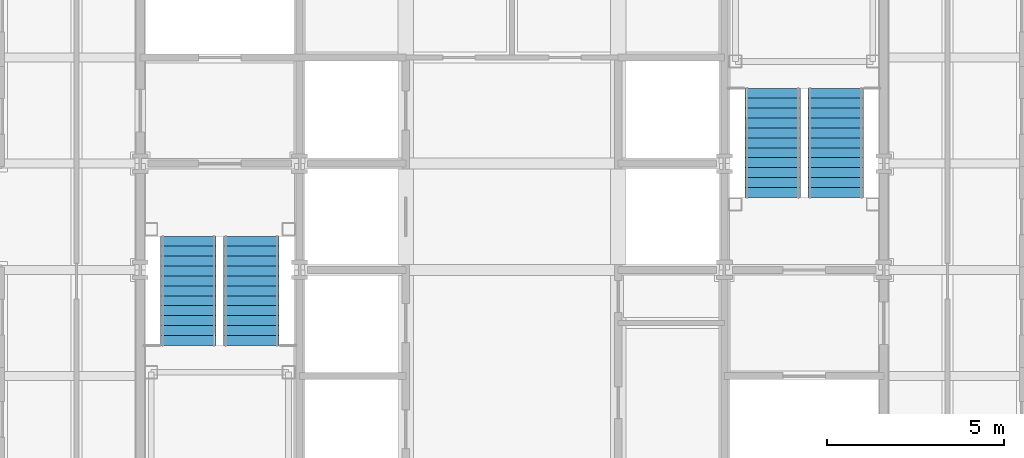
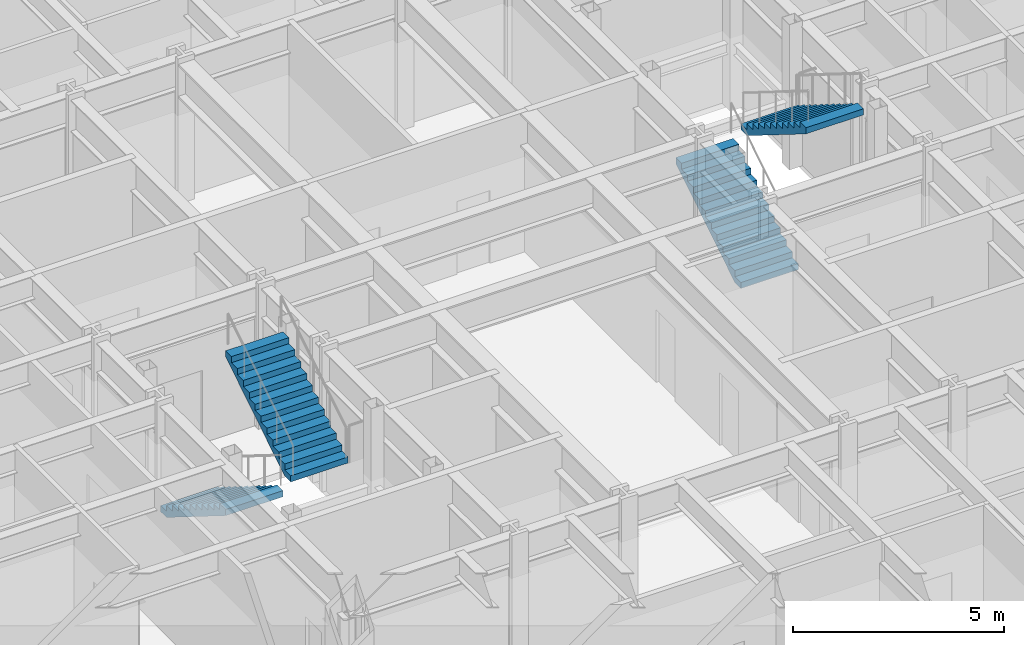
# One storey, part 13 of 15: 4 stair flights, 2 elements without a shape of their own.
"""IFC4 building model written with IfcOpenShell, lengths in metres."""

import ifcopenshell
import ifcopenshell.guid

model = None  # the IFC model being written
_history = None  # IfcOwnerHistory: only IFC2X3 demands one
_inside = {}  # id of a spatial element -> (the spatial element, [elements in it])
_under = {}  # id of a project, library or spatial element -> (it, [spatial elements below it])
_declared = {}  # id of a project -> (the project, [libraries it declares])
_typed = {}  # id of a type object -> (the type object, [elements of that type])
_made_of = {}  # id of a material, layer set ... -> (it, [elements and type objects made of it])


def new_model(schema):
    """Start an empty IFC model of exactly this schema.

    Asked for "IFC4X3", IfcOpenShell would pick the latest addendum, in which some entities
    have other attributes; the version numbers below select the first issue.
    IFC2X3 requires an IfcOwnerHistory on every rooted entity: one is made here for all.
    """
    global model, _history
    if schema == "IFC4X3":
        model = ifcopenshell.file(schema_version=(4, 3, 0, 0))
    else:
        model = ifcopenshell.file(schema=schema)
    _inside.clear()
    _under.clear()
    _declared.clear()
    _typed.clear()
    _made_of.clear()
    _history = None
    if model.schema == "IFC2X3":
        org = make("IfcOrganization", Name="unknown")
        user = make(
            "IfcPersonAndOrganization",
            ThePerson=make("IfcPerson", FamilyName="unknown"),
            TheOrganization=org,
        )
        app = make(
            "IfcApplication",
            ApplicationDeveloper=org,
            Version="unknown",
            ApplicationFullName="unknown",
            ApplicationIdentifier="unknown",
        )
        _history = make(
            "IfcOwnerHistory",
            OwningUser=user,
            OwningApplication=app,
            ChangeAction="ADDED",
            CreationDate=0,
        )
    return model


def make(cls, **values):
    """One entity of the class cls with the attributes given. An attribute that is None is left unset."""
    return model.create_entity(
        cls, **{name: value for name, value in values.items() if value is not None}
    )


def rooted(cls, **values):
    """An entity with a GlobalId (a new one), such as an element, a storey or a relation."""
    return make(cls, GlobalId=ifcopenshell.guid.new(), OwnerHistory=_history, **values)


def si_unit(unit_type, name, prefix=None):
    """IfcSIUnit, for example si_unit("LENGTHUNIT", "METRE", prefix="MILLI")."""
    return make("IfcSIUnit", UnitType=unit_type, Prefix=prefix, Name=name)


def assignment(units):
    """IfcUnitAssignment: the units of a project."""
    return None if units is None else make("IfcUnitAssignment", Units=units)


def point(xyz):
    """IfcCartesianPoint."""
    return None if xyz is None else make("IfcCartesianPoint", Coordinates=xyz)


def direction(xyz):
    """IfcDirection."""
    return None if xyz is None else make("IfcDirection", DirectionRatios=xyz)


def frame(location, z_axis=None, x_axis=None):
    """IfcAxis2Placement3D, a coordinate frame: its origin and axes. An axis left out is left unset."""
    return make(
        "IfcAxis2Placement3D",
        Location=point(location),
        Axis=direction(z_axis),
        RefDirection=direction(x_axis),
    )


def origin():
    """The frame at (0, 0, 0) with its axes left unset."""
    return frame((0.0, 0.0, 0.0))


def place(relative_to, where):
    """IfcLocalPlacement: puts the frame where relative to a parent placement (None: the world)."""
    return make(
        "IfcLocalPlacement", PlacementRelTo=relative_to, RelativePlacement=where
    )


def context(
    kind, dimensions, precision=None, world=None, true_north=None, identifier=None
):
    """IfcGeometricRepresentationContext, for example the 3D "Model" context."""
    return make(
        "IfcGeometricRepresentationContext",
        ContextIdentifier=identifier,
        ContextType=kind,
        CoordinateSpaceDimension=dimensions,
        Precision=precision,
        WorldCoordinateSystem=world,
        TrueNorth=true_north,
    )


def subcontext(parent, identifier, kind, view, scale=None):
    """IfcGeometricRepresentationSubContext, for example "Body" below "Model"."""
    return make(
        "IfcGeometricRepresentationSubContext",
        ContextIdentifier=identifier,
        ContextType=kind,
        ParentContext=parent,
        TargetScale=scale,
        TargetView=view,
    )


def project(units=None, contexts=None):
    """IfcProject with its units and contexts."""
    return rooted(
        "IfcProject",
        Name="project",
        RepresentationContexts=contexts,
        UnitsInContext=assignment(units),
    )


def spatial(cls, under=None, at=None, **own):
    """A site, building, storey or space (cls), placed at a placement, below another one or the project."""
    s = rooted(cls, ObjectPlacement=at, **own)
    if under is not None:
        _under.setdefault(under.id(), (under, []))[1].append(s)
    return s


def faces_of(points, faces, orient=None, outer=None):
    """IfcFace entities. A face is a list of loops; a loop is a list of indices into points, from 0.

    orient and outer hold one flag for each loop. By default every Orientation is true, the
    first loop of a face is its IfcFaceOuterBound and the others are IfcFaceBound.
    """
    made = []
    for i, loops in enumerate(faces):
        bounds = []
        for j, loop in enumerate(loops):
            is_outer = j == 0 if outer is None else outer[i][j]
            bounds.append(
                make(
                    "IfcFaceOuterBound" if is_outer else "IfcFaceBound",
                    Bound=make("IfcPolyLoop", Polygon=[points[k] for k in loop]),
                    Orientation=True if orient is None else orient[i][j],
                )
            )
        made.append(make("IfcFace", Bounds=bounds))
    return made


def faceted_brep(points, faces, orient=None, outer=None, voids=None):
    """IfcFacetedBrep: a solid bounded by flat faces; with voids (closed shells), ...WithVoids."""
    shared = [point(p) for p in points]
    hull = make("IfcClosedShell", CfsFaces=faces_of(shared, faces, orient, outer))
    if voids is None:
        return make("IfcFacetedBrep", Outer=hull)
    return make(
        "IfcFacetedBrepWithVoids",
        Outer=hull,
        Voids=[
            make(cls, CfsFaces=faces_of(shared, fs, o, b)) for cls, fs, o, b in voids
        ],
    )


def shape(context_of_items, identifier, shape_type, items):
    """IfcShapeRepresentation: the items that make up one representation, for example the "Body"."""
    return make(
        "IfcShapeRepresentation",
        ContextOfItems=context_of_items,
        RepresentationIdentifier=identifier,
        RepresentationType=shape_type,
        Items=items,
    )


def material(Name=None, Category=None):
    """IfcMaterial."""
    return make("IfcMaterial", Name=Name, Category=Category)


def made_of(thing, what):
    """Note that an element or type object is made of a material, layer set ...; save() writes the relation."""
    if what is not None:
        _made_of.setdefault(what.id(), (what, []))[1].append(thing)
    return thing


def type_object(cls, material=None, **own):
    """A type object (cls), such as IfcWallType, which elements share."""
    return made_of(rooted(cls, **own), material)


def element(
    cls,
    number,
    at=None,
    inside=None,
    cuts=None,
    type_object=None,
    material=None,
    context=None,
    identifier="Body",
    shape_type=None,
    held_by="IfcProductDefinitionShape",
    body=None,
    shapes=None,
    **own,
):
    """One element of the class cls, such as IfcWall. Its Tag is "e" and its number.

    at: its placement. inside: the storey or other place that contains it. cuts: it is an
    opening in that element (IfcRelVoidsElement). A single representation is given by context,
    identifier, shape_type and body (its items); several are given by shapes. held_by: the class
    of the entity that holds the representations. save() writes the other relations.
    """
    e = rooted(cls, Tag="e%d" % number, ObjectPlacement=at, **own)
    if body is not None:
        shapes = [shape(context, identifier, shape_type, body)]
    if shapes is not None:
        e.Representation = make(held_by, Representations=shapes)
    if inside is not None:
        _inside.setdefault(inside.id(), (inside, []))[1].append(e)
    if cuts is not None:
        rooted(
            "IfcRelVoidsElement", RelatingBuildingElement=cuts, RelatedOpeningElement=e
        )
    if type_object is not None:
        _typed.setdefault(type_object.id(), (type_object, []))[1].append(e)
    return made_of(e, material)


def aggregate(whole, parts):
    """IfcRelAggregates: a whole, such as a stair, and the parts it consists of."""
    return rooted("IfcRelAggregates", RelatingObject=whole, RelatedObjects=parts)


def save(model, path):
    """Write the relations noted so far, then the file.

    IfcRelAggregates (storeys below a building ...), IfcRelContainedInSpatialStructure (elements
    in a storey), IfcRelDefinesByType, IfcRelAssociatesMaterial and IfcRelDeclares: one each for
    every whole, place, type object, material and project.
    """
    for whole, parts in _under.values():
        aggregate(whole, parts)
    for where, things in _inside.values():
        rooted(
            "IfcRelContainedInSpatialStructure",
            RelatedElements=things,
            RelatingStructure=where,
        )
    for kind, things in _typed.values():
        rooted("IfcRelDefinesByType", RelatedObjects=things, RelatingType=kind)
    for what, things in _made_of.values():
        rooted("IfcRelAssociatesMaterial", RelatedObjects=things, RelatingMaterial=what)
    for by, libraries in _declared.values():
        rooted("IfcRelDeclares", RelatingContext=by, RelatedDefinitions=libraries)
    model.write(path)


model = new_model("IFC4")

# Units and contexts
model_context = context("Model", 3, precision=1e-05, world=origin(), true_north=direction((0.0, 1.0)))
body_context = subcontext(model_context, "Body", "Model", "MODEL_VIEW")
ifc_project = project(units=[si_unit("LENGTHUNIT", "METRE"), si_unit("AREAUNIT", "SQUARE_METRE"), si_unit("VOLUMEUNIT", "CUBIC_METRE"), si_unit("PLANEANGLEUNIT", "RADIAN"), si_unit("MASSUNIT", "GRAM", prefix="KILO")], contexts=[model_context])

# Site, building, storey
site_placement = place(None, origin())
site = spatial("IfcSite", under=ifc_project, at=site_placement, CompositionType="ELEMENT")
building_placement = place(site_placement, origin())
building = spatial("IfcBuilding", under=site, at=building_placement, Name="Chuquiago Exchange Tower", CompositionType="ELEMENT")
storey_placement = place(building_placement, frame((0.0, 0.0, 262.199951171875)))
storey = spatial("IfcBuildingStorey", under=building, at=storey_placement, Name="L58", CompositionType="ELEMENT", Elevation=262.199951171875)

# Stair, stair flights
ifc_material_1 = material(Name="Concrete C30/37, precast", Category="concrete")
stair_type_1 = type_object("IfcStairType", Name="ST1 half-turn stair 4200", PredefinedType="HALF_TURN_STAIR", material=ifc_material_1)
stair_1_placement = place(storey_placement, origin())
stair_1 = element("IfcStair", 1, at=stair_1_placement, inside=storey, type_object=stair_type_1, Name="Stair ST1 L58", PredefinedType="HALF_TURN_STAIR")
ifc_material_2 = material(Name="Concrete C30/37, precast", Category="concrete")
stair_flight_type = type_object("IfcStairFlightType", Name="ST-F flight 1570 for 4200 storey", PredefinedType="STRAIGHT", material=ifc_material_2)
stair_flight_1_placement = place(storey_placement, frame((13.360107421875, 21.949951171875, 0.0), z_axis=(0.0, 0.0, 1.0), x_axis=(0.0, -1.0, 0.0)))
stair_flight_1 = element("IfcStairFlight", 2, at=stair_flight_1_placement, type_object=stair_flight_type, Name="ST1 flight 1", NumberOfRisers=12, NumberOfTreads=11, PredefinedType="STRAIGHT", RiserHeight=0.175, TreadLength=0.28, context=body_context, shape_type="Brep", body=[
    faceted_brep([(0.0, 0.78515625, 0.0), (0.0, 0.78515625, 0.175048828125), (0.280029296875, 0.78515625, 0.175048828125), (0.280029296875, 0.78515625, 0.35009765625), (0.56005859375, 0.78515625, 0.35009765625), (0.56005859375, 0.78515625, 0.52490234375), (0.840087890625, 0.78515625, 0.52490234375), (0.840087890625, 0.78515625, 0.699951171875), (1.1201171875, 0.78515625, 0.699951171875), (1.1201171875, 0.78515625, 0.875), (1.39990234375, 0.78515625, 0.875), (1.39990234375, 0.78515625, 1.050048828125), (1.679931640625, 0.78515625, 1.050048828125), (1.679931640625, 0.78515625, 1.22509765625), (1.9599609375, 0.78515625, 1.22509765625), (1.9599609375, 0.78515625, 1.39990234375), (2.239990234375, 0.78515625, 1.39990234375), (2.239990234375, 0.78515625, 1.574951171875), (2.52001953125, 0.78515625, 1.574951171875), (2.52001953125, 0.78515625, 1.75), (2.800048828125, 0.78515625, 1.75), (2.800048828125, 0.78515625, 1.925048828125), (3.080078125, 0.78515625, 1.925048828125), (3.080078125, 0.78515625, 1.748291015625), (0.28271484375, 0.78515625, 0.0), (0.28271484375, -0.78515625, 0.0), (3.080078125, -0.78515625, 1.748291015625), (3.080078125, -0.78515625, 1.925048828125), (2.800048828125, -0.78515625, 1.925048828125), (2.800048828125, -0.78515625, 1.75), (2.52001953125, -0.78515625, 1.75), (2.52001953125, -0.78515625, 1.574951171875), (2.239990234375, -0.78515625, 1.574951171875), (2.239990234375, -0.78515625, 1.39990234375), (1.9599609375, -0.78515625, 1.39990234375), (1.9599609375, -0.78515625, 1.22509765625), (1.679931640625, -0.78515625, 1.22509765625), (1.679931640625, -0.78515625, 1.050048828125), (1.39990234375, -0.78515625, 1.050048828125), (1.39990234375, -0.78515625, 0.875), (1.1201171875, -0.78515625, 0.875), (1.1201171875, -0.78515625, 0.699951171875), (0.840087890625, -0.78515625, 0.699951171875), (0.840087890625, -0.78515625, 0.52490234375), (0.56005859375, -0.78515625, 0.52490234375), (0.56005859375, -0.78515625, 0.35009765625), (0.280029296875, -0.78515625, 0.35009765625), (0.280029296875, -0.78515625, 0.175048828125), (0.0, -0.78515625, 0.175048828125), (0.0, -0.78515625, 0.0), (0.0, 0.392578125, 0.0), (0.0, 0.392578125, 0.175048828125), (0.0, 0.0, 0.0), (0.0, 0.0, 0.175048828125), (0.0, -0.392578125, 0.0), (0.0, -0.392578125, 0.175048828125), (0.280029296875, 0.392578125, 0.175048828125), (0.280029296875, 0.0, 0.175048828125), (0.280029296875, -0.392578125, 0.175048828125), (0.280029296875, 0.392578125, 0.35009765625), (0.280029296875, 0.0, 0.35009765625), (0.280029296875, -0.392578125, 0.35009765625), (0.56005859375, 0.392578125, 0.35009765625), (0.56005859375, 0.0, 0.35009765625), (0.56005859375, -0.392578125, 0.35009765625), (0.56005859375, 0.392578125, 0.52490234375), (0.56005859375, 0.0, 0.52490234375), (0.56005859375, -0.392578125, 0.52490234375), (0.840087890625, 0.392578125, 0.52490234375), (0.840087890625, 0.0, 0.52490234375), (0.840087890625, -0.392578125, 0.52490234375), (0.840087890625, 0.392578125, 0.699951171875), (0.840087890625, 0.0, 0.699951171875), (0.840087890625, -0.392578125, 0.699951171875), (1.1201171875, 0.392578125, 0.699951171875), (1.1201171875, 0.0, 0.699951171875), (1.1201171875, -0.392578125, 0.699951171875), (1.1201171875, 0.392578125, 0.875), (1.1201171875, 0.0, 0.875), (1.1201171875, -0.392578125, 0.875), (1.39990234375, 0.392578125, 0.875), (1.39990234375, 0.0, 0.875), (1.39990234375, -0.392578125, 0.875), (1.39990234375, 0.392578125, 1.050048828125), (1.39990234375, 0.0, 1.050048828125), (1.39990234375, -0.392578125, 1.050048828125), (1.679931640625, 0.392578125, 1.050048828125), (1.679931640625, 0.0, 1.050048828125), (1.679931640625, -0.392578125, 1.050048828125), (1.679931640625, 0.392578125, 1.22509765625), (1.679931640625, 0.0, 1.22509765625), (1.679931640625, -0.392578125, 1.22509765625), (1.9599609375, 0.392578125, 1.22509765625), (1.9599609375, 0.0, 1.22509765625), (1.9599609375, -0.392578125, 1.22509765625), (1.9599609375, 0.392578125, 1.39990234375), (1.9599609375, 0.0, 1.39990234375), (1.9599609375, -0.392578125, 1.39990234375), (2.239990234375, 0.392578125, 1.39990234375), (2.239990234375, 0.0, 1.39990234375), (2.239990234375, -0.392578125, 1.39990234375), (2.239990234375, 0.392578125, 1.574951171875), (2.239990234375, 0.0, 1.574951171875), (2.239990234375, -0.392578125, 1.574951171875), (2.52001953125, 0.392578125, 1.574951171875), (2.52001953125, 0.0, 1.574951171875), (2.52001953125, -0.392578125, 1.574951171875), (2.52001953125, 0.392578125, 1.75), (2.52001953125, 0.0, 1.75), (2.52001953125, -0.392578125, 1.75), (2.800048828125, 0.392578125, 1.75), (2.800048828125, 0.0, 1.75), (2.800048828125, -0.392578125, 1.75), (2.800048828125, 0.392578125, 1.925048828125), (2.800048828125, 0.0, 1.925048828125), (2.800048828125, -0.392578125, 1.925048828125), (3.080078125, 0.392578125, 1.925048828125), (3.080078125, 0.0, 1.925048828125), (3.080078125, -0.392578125, 1.925048828125), (3.080078125, 0.392578125, 1.748291015625), (3.080078125, 0.0, 1.748291015625), (3.080078125, -0.392578125, 1.748291015625), (0.28271484375, 0.392578125, 0.0), (0.28271484375, 0.0, 0.0), (0.28271484375, -0.392578125, 0.0)], [[[0, 1, 2, 3, 4, 5, 6, 7, 8, 9, 10, 11, 12, 13, 14, 15, 16, 17, 18, 19, 20, 21, 22, 23, 24]], [[25, 26, 27, 28, 29, 30, 31, 32, 33, 34, 35, 36, 37, 38, 39, 40, 41, 42, 43, 44, 45, 46, 47, 48, 49]], [[1, 0, 50, 51]], [[51, 50, 52, 53]], [[53, 52, 54, 55]], [[55, 54, 49, 48]], [[2, 1, 51, 56]], [[56, 51, 53, 57]], [[57, 53, 55, 58]], [[58, 55, 48, 47]], [[3, 2, 56, 59]], [[59, 56, 57, 60]], [[60, 57, 58, 61]], [[61, 58, 47, 46]], [[4, 3, 59, 62]], [[62, 59, 60, 63]], [[63, 60, 61, 64]], [[64, 61, 46, 45]], [[5, 4, 62, 65]], [[65, 62, 63, 66]], [[66, 63, 64, 67]], [[67, 64, 45, 44]], [[6, 5, 65, 68]], [[68, 65, 66, 69]], [[69, 66, 67, 70]], [[70, 67, 44, 43]], [[7, 6, 68, 71]], [[71, 68, 69, 72]], [[72, 69, 70, 73]], [[73, 70, 43, 42]], [[8, 7, 71, 74]], [[74, 71, 72, 75]], [[75, 72, 73, 76]], [[76, 73, 42, 41]], [[9, 8, 74, 77]], [[77, 74, 75, 78]], [[78, 75, 76, 79]], [[79, 76, 41, 40]], [[10, 9, 77, 80]], [[80, 77, 78, 81]], [[81, 78, 79, 82]], [[82, 79, 40, 39]], [[11, 10, 80, 83]], [[83, 80, 81, 84]], [[84, 81, 82, 85]], [[85, 82, 39, 38]], [[12, 11, 83, 86]], [[86, 83, 84, 87]], [[87, 84, 85, 88]], [[88, 85, 38, 37]], [[13, 12, 86, 89]], [[89, 86, 87, 90]], [[90, 87, 88, 91]], [[91, 88, 37, 36]], [[14, 13, 89, 92]], [[92, 89, 90, 93]], [[93, 90, 91, 94]], [[94, 91, 36, 35]], [[15, 14, 92, 95]], [[95, 92, 93, 96]], [[96, 93, 94, 97]], [[97, 94, 35, 34]], [[16, 15, 95, 98]], [[98, 95, 96, 99]], [[99, 96, 97, 100]], [[100, 97, 34, 33]], [[17, 16, 98, 101]], [[101, 98, 99, 102]], [[102, 99, 100, 103]], [[103, 100, 33, 32]], [[18, 17, 101, 104]], [[104, 101, 102, 105]], [[105, 102, 103, 106]], [[106, 103, 32, 31]], [[19, 18, 104, 107]], [[107, 104, 105, 108]], [[108, 105, 106, 109]], [[109, 106, 31, 30]], [[20, 19, 107, 110]], [[110, 107, 108, 111]], [[111, 108, 109, 112]], [[112, 109, 30, 29]], [[21, 20, 110, 113]], [[113, 110, 111, 114]], [[114, 111, 112, 115]], [[115, 112, 29, 28]], [[22, 21, 113, 116]], [[116, 113, 114, 117]], [[117, 114, 115, 118]], [[118, 115, 28, 27]], [[23, 22, 116, 119]], [[119, 116, 117, 120]], [[120, 117, 118, 121]], [[121, 118, 27, 26]], [[24, 23, 119, 122]], [[122, 119, 120, 123]], [[123, 120, 121, 124]], [[124, 121, 26, 25]], [[0, 24, 122, 50]], [[50, 122, 123, 52]], [[52, 123, 124, 54]], [[54, 124, 25, 49]]]),
])
stair_flight_2_placement = place(storey_placement, frame((15.139892578125, 18.8701171875, 2.10009765625), z_axis=(0.0, 0.0, 1.0), x_axis=(0.0, 1.0, 0.0)))
stair_flight_2 = element("IfcStairFlight", 3, at=stair_flight_2_placement, type_object=stair_flight_type, Name="ST1 flight 2", NumberOfRisers=12, NumberOfTreads=11, PredefinedType="STRAIGHT", RiserHeight=0.175, TreadLength=0.28, context=body_context, shape_type="Brep", body=[
    faceted_brep([(0.0, 0.78515625, 0.0), (0.0, 0.78515625, 0.175048828125), (0.280029296875, 0.78515625, 0.175048828125), (0.280029296875, 0.78515625, 0.35009765625), (0.56005859375, 0.78515625, 0.35009765625), (0.56005859375, 0.78515625, 0.52490234375), (0.840087890625, 0.78515625, 0.52490234375), (0.840087890625, 0.78515625, 0.699951171875), (1.1201171875, 0.78515625, 0.699951171875), (1.1201171875, 0.78515625, 0.875), (1.39990234375, 0.78515625, 0.875), (1.39990234375, 0.78515625, 1.050048828125), (1.679931640625, 0.78515625, 1.050048828125), (1.679931640625, 0.78515625, 1.22509765625), (1.9599609375, 0.78515625, 1.22509765625), (1.9599609375, 0.78515625, 1.39990234375), (2.239990234375, 0.78515625, 1.39990234375), (2.239990234375, 0.78515625, 1.574951171875), (2.52001953125, 0.78515625, 1.574951171875), (2.52001953125, 0.78515625, 1.75), (2.800048828125, 0.78515625, 1.75), (2.800048828125, 0.78515625, 1.925048828125), (3.080078125, 0.78515625, 1.925048828125), (3.080078125, 0.78515625, 1.748291015625), (0.28271484375, 0.78515625, 0.0), (0.28271484375, -0.78515625, 0.0), (3.080078125, -0.78515625, 1.748291015625), (3.080078125, -0.78515625, 1.925048828125), (2.800048828125, -0.78515625, 1.925048828125), (2.800048828125, -0.78515625, 1.75), (2.52001953125, -0.78515625, 1.75), (2.52001953125, -0.78515625, 1.574951171875), (2.239990234375, -0.78515625, 1.574951171875), (2.239990234375, -0.78515625, 1.39990234375), (1.9599609375, -0.78515625, 1.39990234375), (1.9599609375, -0.78515625, 1.22509765625), (1.679931640625, -0.78515625, 1.22509765625), (1.679931640625, -0.78515625, 1.050048828125), (1.39990234375, -0.78515625, 1.050048828125), (1.39990234375, -0.78515625, 0.875), (1.1201171875, -0.78515625, 0.875), (1.1201171875, -0.78515625, 0.699951171875), (0.840087890625, -0.78515625, 0.699951171875), (0.840087890625, -0.78515625, 0.52490234375), (0.56005859375, -0.78515625, 0.52490234375), (0.56005859375, -0.78515625, 0.35009765625), (0.280029296875, -0.78515625, 0.35009765625), (0.280029296875, -0.78515625, 0.175048828125), (0.0, -0.78515625, 0.175048828125), (0.0, -0.78515625, 0.0), (0.0, 0.392578125, 0.0), (0.0, 0.392578125, 0.175048828125), (0.0, 0.0, 0.0), (0.0, 0.0, 0.175048828125), (0.0, -0.392578125, 0.0), (0.0, -0.392578125, 0.175048828125), (0.280029296875, 0.392578125, 0.175048828125), (0.280029296875, 0.0, 0.175048828125), (0.280029296875, -0.392578125, 0.175048828125), (0.280029296875, 0.392578125, 0.35009765625), (0.280029296875, 0.0, 0.35009765625), (0.280029296875, -0.392578125, 0.35009765625), (0.56005859375, 0.392578125, 0.35009765625), (0.56005859375, 0.0, 0.35009765625), (0.56005859375, -0.392578125, 0.35009765625), (0.56005859375, 0.392578125, 0.52490234375), (0.56005859375, 0.0, 0.52490234375), (0.56005859375, -0.392578125, 0.52490234375), (0.840087890625, 0.392578125, 0.52490234375), (0.840087890625, 0.0, 0.52490234375), (0.840087890625, -0.392578125, 0.52490234375), (0.840087890625, 0.392578125, 0.699951171875), (0.840087890625, 0.0, 0.699951171875), (0.840087890625, -0.392578125, 0.699951171875), (1.1201171875, 0.392578125, 0.699951171875), (1.1201171875, 0.0, 0.699951171875), (1.1201171875, -0.392578125, 0.699951171875), (1.1201171875, 0.392578125, 0.875), (1.1201171875, 0.0, 0.875), (1.1201171875, -0.392578125, 0.875), (1.39990234375, 0.392578125, 0.875), (1.39990234375, 0.0, 0.875), (1.39990234375, -0.392578125, 0.875), (1.39990234375, 0.392578125, 1.050048828125), (1.39990234375, 0.0, 1.050048828125), (1.39990234375, -0.392578125, 1.050048828125), (1.679931640625, 0.392578125, 1.050048828125), (1.679931640625, 0.0, 1.050048828125), (1.679931640625, -0.392578125, 1.050048828125), (1.679931640625, 0.392578125, 1.22509765625), (1.679931640625, 0.0, 1.22509765625), (1.679931640625, -0.392578125, 1.22509765625), (1.9599609375, 0.392578125, 1.22509765625), (1.9599609375, 0.0, 1.22509765625), (1.9599609375, -0.392578125, 1.22509765625), (1.9599609375, 0.392578125, 1.39990234375), (1.9599609375, 0.0, 1.39990234375), (1.9599609375, -0.392578125, 1.39990234375), (2.239990234375, 0.392578125, 1.39990234375), (2.239990234375, 0.0, 1.39990234375), (2.239990234375, -0.392578125, 1.39990234375), (2.239990234375, 0.392578125, 1.574951171875), (2.239990234375, 0.0, 1.574951171875), (2.239990234375, -0.392578125, 1.574951171875), (2.52001953125, 0.392578125, 1.574951171875), (2.52001953125, 0.0, 1.574951171875), (2.52001953125, -0.392578125, 1.574951171875), (2.52001953125, 0.392578125, 1.75), (2.52001953125, 0.0, 1.75), (2.52001953125, -0.392578125, 1.75), (2.800048828125, 0.392578125, 1.75), (2.800048828125, 0.0, 1.75), (2.800048828125, -0.392578125, 1.75), (2.800048828125, 0.392578125, 1.925048828125), (2.800048828125, 0.0, 1.925048828125), (2.800048828125, -0.392578125, 1.925048828125), (3.080078125, 0.392578125, 1.925048828125), (3.080078125, 0.0, 1.925048828125), (3.080078125, -0.392578125, 1.925048828125), (3.080078125, 0.392578125, 1.748291015625), (3.080078125, 0.0, 1.748291015625), (3.080078125, -0.392578125, 1.748291015625), (0.28271484375, 0.392578125, 0.0), (0.28271484375, 0.0, 0.0), (0.28271484375, -0.392578125, 0.0)], [[[0, 1, 2, 3, 4, 5, 6, 7, 8, 9, 10, 11, 12, 13, 14, 15, 16, 17, 18, 19, 20, 21, 22, 23, 24]], [[25, 26, 27, 28, 29, 30, 31, 32, 33, 34, 35, 36, 37, 38, 39, 40, 41, 42, 43, 44, 45, 46, 47, 48, 49]], [[1, 0, 50, 51]], [[51, 50, 52, 53]], [[53, 52, 54, 55]], [[55, 54, 49, 48]], [[2, 1, 51, 56]], [[56, 51, 53, 57]], [[57, 53, 55, 58]], [[58, 55, 48, 47]], [[3, 2, 56, 59]], [[59, 56, 57, 60]], [[60, 57, 58, 61]], [[61, 58, 47, 46]], [[4, 3, 59, 62]], [[62, 59, 60, 63]], [[63, 60, 61, 64]], [[64, 61, 46, 45]], [[5, 4, 62, 65]], [[65, 62, 63, 66]], [[66, 63, 64, 67]], [[67, 64, 45, 44]], [[6, 5, 65, 68]], [[68, 65, 66, 69]], [[69, 66, 67, 70]], [[70, 67, 44, 43]], [[7, 6, 68, 71]], [[71, 68, 69, 72]], [[72, 69, 70, 73]], [[73, 70, 43, 42]], [[8, 7, 71, 74]], [[74, 71, 72, 75]], [[75, 72, 73, 76]], [[76, 73, 42, 41]], [[9, 8, 74, 77]], [[77, 74, 75, 78]], [[78, 75, 76, 79]], [[79, 76, 41, 40]], [[10, 9, 77, 80]], [[80, 77, 78, 81]], [[81, 78, 79, 82]], [[82, 79, 40, 39]], [[11, 10, 80, 83]], [[83, 80, 81, 84]], [[84, 81, 82, 85]], [[85, 82, 39, 38]], [[12, 11, 83, 86]], [[86, 83, 84, 87]], [[87, 84, 85, 88]], [[88, 85, 38, 37]], [[13, 12, 86, 89]], [[89, 86, 87, 90]], [[90, 87, 88, 91]], [[91, 88, 37, 36]], [[14, 13, 89, 92]], [[92, 89, 90, 93]], [[93, 90, 91, 94]], [[94, 91, 36, 35]], [[15, 14, 92, 95]], [[95, 92, 93, 96]], [[96, 93, 94, 97]], [[97, 94, 35, 34]], [[16, 15, 95, 98]], [[98, 95, 96, 99]], [[99, 96, 97, 100]], [[100, 97, 34, 33]], [[17, 16, 98, 101]], [[101, 98, 99, 102]], [[102, 99, 100, 103]], [[103, 100, 33, 32]], [[18, 17, 101, 104]], [[104, 101, 102, 105]], [[105, 102, 103, 106]], [[106, 103, 32, 31]], [[19, 18, 104, 107]], [[107, 104, 105, 108]], [[108, 105, 106, 109]], [[109, 106, 31, 30]], [[20, 19, 107, 110]], [[110, 107, 108, 111]], [[111, 108, 109, 112]], [[112, 109, 30, 29]], [[21, 20, 110, 113]], [[113, 110, 111, 114]], [[114, 111, 112, 115]], [[115, 112, 29, 28]], [[22, 21, 113, 116]], [[116, 113, 114, 117]], [[117, 114, 115, 118]], [[118, 115, 28, 27]], [[23, 22, 116, 119]], [[119, 116, 117, 120]], [[120, 117, 118, 121]], [[121, 118, 27, 26]], [[24, 23, 119, 122]], [[122, 119, 120, 123]], [[123, 120, 121, 124]], [[124, 121, 26, 25]], [[0, 24, 122, 50]], [[50, 122, 123, 52]], [[52, 123, 124, 54]], [[54, 124, 25, 49]]]),
])
aggregate(stair_1, [stair_flight_1, stair_flight_2])

ifc_material_3 = material(Name="Concrete C30/37, precast", Category="concrete")
stair_type_2 = type_object("IfcStairType", Name="ST2 half-turn stair 4200", PredefinedType="HALF_TURN_STAIR", material=ifc_material_3)
stair_2_placement = place(storey_placement, origin())
stair_2 = element("IfcStair", 4, at=stair_2_placement, inside=storey, type_object=stair_type_2, Name="Stair ST2 L58", PredefinedType="HALF_TURN_STAIR")
stair_flight_3_placement = place(storey_placement, frame((29.860107421875, 23.050048828125, 0.0), z_axis=(0.0, 0.0, 1.0), x_axis=(0.0, 1.0, 0.0)))
stair_flight_3 = element("IfcStairFlight", 5, at=stair_flight_3_placement, type_object=stair_flight_type, Name="ST2 flight 1", NumberOfRisers=12, NumberOfTreads=11, PredefinedType="STRAIGHT", RiserHeight=0.175, TreadLength=0.28, context=body_context, shape_type="Brep", body=[
    faceted_brep([(0.0, 0.78515625, 0.0), (0.0, 0.78515625, 0.175048828125), (0.280029296875, 0.78515625, 0.175048828125), (0.280029296875, 0.78515625, 0.35009765625), (0.56005859375, 0.78515625, 0.35009765625), (0.56005859375, 0.78515625, 0.52490234375), (0.840087890625, 0.78515625, 0.52490234375), (0.840087890625, 0.78515625, 0.699951171875), (1.1201171875, 0.78515625, 0.699951171875), (1.1201171875, 0.78515625, 0.875), (1.39990234375, 0.78515625, 0.875), (1.39990234375, 0.78515625, 1.050048828125), (1.679931640625, 0.78515625, 1.050048828125), (1.679931640625, 0.78515625, 1.22509765625), (1.9599609375, 0.78515625, 1.22509765625), (1.9599609375, 0.78515625, 1.39990234375), (2.239990234375, 0.78515625, 1.39990234375), (2.239990234375, 0.78515625, 1.574951171875), (2.52001953125, 0.78515625, 1.574951171875), (2.52001953125, 0.78515625, 1.75), (2.800048828125, 0.78515625, 1.75), (2.800048828125, 0.78515625, 1.925048828125), (3.080078125, 0.78515625, 1.925048828125), (3.080078125, 0.78515625, 1.748291015625), (0.28271484375, 0.78515625, 0.0), (0.28271484375, -0.78515625, 0.0), (3.080078125, -0.78515625, 1.748291015625), (3.080078125, -0.78515625, 1.925048828125), (2.800048828125, -0.78515625, 1.925048828125), (2.800048828125, -0.78515625, 1.75), (2.52001953125, -0.78515625, 1.75), (2.52001953125, -0.78515625, 1.574951171875), (2.239990234375, -0.78515625, 1.574951171875), (2.239990234375, -0.78515625, 1.39990234375), (1.9599609375, -0.78515625, 1.39990234375), (1.9599609375, -0.78515625, 1.22509765625), (1.679931640625, -0.78515625, 1.22509765625), (1.679931640625, -0.78515625, 1.050048828125), (1.39990234375, -0.78515625, 1.050048828125), (1.39990234375, -0.78515625, 0.875), (1.1201171875, -0.78515625, 0.875), (1.1201171875, -0.78515625, 0.699951171875), (0.840087890625, -0.78515625, 0.699951171875), (0.840087890625, -0.78515625, 0.52490234375), (0.56005859375, -0.78515625, 0.52490234375), (0.56005859375, -0.78515625, 0.35009765625), (0.280029296875, -0.78515625, 0.35009765625), (0.280029296875, -0.78515625, 0.175048828125), (0.0, -0.78515625, 0.175048828125), (0.0, -0.78515625, 0.0), (0.0, 0.392578125, 0.0), (0.0, 0.392578125, 0.175048828125), (0.0, 0.0, 0.0), (0.0, 0.0, 0.175048828125), (0.0, -0.392578125, 0.0), (0.0, -0.392578125, 0.175048828125), (0.280029296875, 0.392578125, 0.175048828125), (0.280029296875, 0.0, 0.175048828125), (0.280029296875, -0.392578125, 0.175048828125), (0.280029296875, 0.392578125, 0.35009765625), (0.280029296875, 0.0, 0.35009765625), (0.280029296875, -0.392578125, 0.35009765625), (0.56005859375, 0.392578125, 0.35009765625), (0.56005859375, 0.0, 0.35009765625), (0.56005859375, -0.392578125, 0.35009765625), (0.56005859375, 0.392578125, 0.52490234375), (0.56005859375, 0.0, 0.52490234375), (0.56005859375, -0.392578125, 0.52490234375), (0.840087890625, 0.392578125, 0.52490234375), (0.840087890625, 0.0, 0.52490234375), (0.840087890625, -0.392578125, 0.52490234375), (0.840087890625, 0.392578125, 0.699951171875), (0.840087890625, 0.0, 0.699951171875), (0.840087890625, -0.392578125, 0.699951171875), (1.1201171875, 0.392578125, 0.699951171875), (1.1201171875, 0.0, 0.699951171875), (1.1201171875, -0.392578125, 0.699951171875), (1.1201171875, 0.392578125, 0.875), (1.1201171875, 0.0, 0.875), (1.1201171875, -0.392578125, 0.875), (1.39990234375, 0.392578125, 0.875), (1.39990234375, 0.0, 0.875), (1.39990234375, -0.392578125, 0.875), (1.39990234375, 0.392578125, 1.050048828125), (1.39990234375, 0.0, 1.050048828125), (1.39990234375, -0.392578125, 1.050048828125), (1.679931640625, 0.392578125, 1.050048828125), (1.679931640625, 0.0, 1.050048828125), (1.679931640625, -0.392578125, 1.050048828125), (1.679931640625, 0.392578125, 1.22509765625), (1.679931640625, 0.0, 1.22509765625), (1.679931640625, -0.392578125, 1.22509765625), (1.9599609375, 0.392578125, 1.22509765625), (1.9599609375, 0.0, 1.22509765625), (1.9599609375, -0.392578125, 1.22509765625), (1.9599609375, 0.392578125, 1.39990234375), (1.9599609375, 0.0, 1.39990234375), (1.9599609375, -0.392578125, 1.39990234375), (2.239990234375, 0.392578125, 1.39990234375), (2.239990234375, 0.0, 1.39990234375), (2.239990234375, -0.392578125, 1.39990234375), (2.239990234375, 0.392578125, 1.574951171875), (2.239990234375, 0.0, 1.574951171875), (2.239990234375, -0.392578125, 1.574951171875), (2.52001953125, 0.392578125, 1.574951171875), (2.52001953125, 0.0, 1.574951171875), (2.52001953125, -0.392578125, 1.574951171875), (2.52001953125, 0.392578125, 1.75), (2.52001953125, 0.0, 1.75), (2.52001953125, -0.392578125, 1.75), (2.800048828125, 0.392578125, 1.75), (2.800048828125, 0.0, 1.75), (2.800048828125, -0.392578125, 1.75), (2.800048828125, 0.392578125, 1.925048828125), (2.800048828125, 0.0, 1.925048828125), (2.800048828125, -0.392578125, 1.925048828125), (3.080078125, 0.392578125, 1.925048828125), (3.080078125, 0.0, 1.925048828125), (3.080078125, -0.392578125, 1.925048828125), (3.080078125, 0.392578125, 1.748291015625), (3.080078125, 0.0, 1.748291015625), (3.080078125, -0.392578125, 1.748291015625), (0.28271484375, 0.392578125, 0.0), (0.28271484375, 0.0, 0.0), (0.28271484375, -0.392578125, 0.0)], [[[0, 1, 2, 3, 4, 5, 6, 7, 8, 9, 10, 11, 12, 13, 14, 15, 16, 17, 18, 19, 20, 21, 22, 23, 24]], [[25, 26, 27, 28, 29, 30, 31, 32, 33, 34, 35, 36, 37, 38, 39, 40, 41, 42, 43, 44, 45, 46, 47, 48, 49]], [[1, 0, 50, 51]], [[51, 50, 52, 53]], [[53, 52, 54, 55]], [[55, 54, 49, 48]], [[2, 1, 51, 56]], [[56, 51, 53, 57]], [[57, 53, 55, 58]], [[58, 55, 48, 47]], [[3, 2, 56, 59]], [[59, 56, 57, 60]], [[60, 57, 58, 61]], [[61, 58, 47, 46]], [[4, 3, 59, 62]], [[62, 59, 60, 63]], [[63, 60, 61, 64]], [[64, 61, 46, 45]], [[5, 4, 62, 65]], [[65, 62, 63, 66]], [[66, 63, 64, 67]], [[67, 64, 45, 44]], [[6, 5, 65, 68]], [[68, 65, 66, 69]], [[69, 66, 67, 70]], [[70, 67, 44, 43]], [[7, 6, 68, 71]], [[71, 68, 69, 72]], [[72, 69, 70, 73]], [[73, 70, 43, 42]], [[8, 7, 71, 74]], [[74, 71, 72, 75]], [[75, 72, 73, 76]], [[76, 73, 42, 41]], [[9, 8, 74, 77]], [[77, 74, 75, 78]], [[78, 75, 76, 79]], [[79, 76, 41, 40]], [[10, 9, 77, 80]], [[80, 77, 78, 81]], [[81, 78, 79, 82]], [[82, 79, 40, 39]], [[11, 10, 80, 83]], [[83, 80, 81, 84]], [[84, 81, 82, 85]], [[85, 82, 39, 38]], [[12, 11, 83, 86]], [[86, 83, 84, 87]], [[87, 84, 85, 88]], [[88, 85, 38, 37]], [[13, 12, 86, 89]], [[89, 86, 87, 90]], [[90, 87, 88, 91]], [[91, 88, 37, 36]], [[14, 13, 89, 92]], [[92, 89, 90, 93]], [[93, 90, 91, 94]], [[94, 91, 36, 35]], [[15, 14, 92, 95]], [[95, 92, 93, 96]], [[96, 93, 94, 97]], [[97, 94, 35, 34]], [[16, 15, 95, 98]], [[98, 95, 96, 99]], [[99, 96, 97, 100]], [[100, 97, 34, 33]], [[17, 16, 98, 101]], [[101, 98, 99, 102]], [[102, 99, 100, 103]], [[103, 100, 33, 32]], [[18, 17, 101, 104]], [[104, 101, 102, 105]], [[105, 102, 103, 106]], [[106, 103, 32, 31]], [[19, 18, 104, 107]], [[107, 104, 105, 108]], [[108, 105, 106, 109]], [[109, 106, 31, 30]], [[20, 19, 107, 110]], [[110, 107, 108, 111]], [[111, 108, 109, 112]], [[112, 109, 30, 29]], [[21, 20, 110, 113]], [[113, 110, 111, 114]], [[114, 111, 112, 115]], [[115, 112, 29, 28]], [[22, 21, 113, 116]], [[116, 113, 114, 117]], [[117, 114, 115, 118]], [[118, 115, 28, 27]], [[23, 22, 116, 119]], [[119, 116, 117, 120]], [[120, 117, 118, 121]], [[121, 118, 27, 26]], [[24, 23, 119, 122]], [[122, 119, 120, 123]], [[123, 120, 121, 124]], [[124, 121, 26, 25]], [[0, 24, 122, 50]], [[50, 122, 123, 52]], [[52, 123, 124, 54]], [[54, 124, 25, 49]]]),
])
stair_flight_4_placement = place(storey_placement, frame((31.639892578125, 26.1298828125, 2.10009765625), z_axis=(0.0, 0.0, 1.0), x_axis=(0.0, -1.0, 0.0)))
stair_flight_4 = element("IfcStairFlight", 6, at=stair_flight_4_placement, type_object=stair_flight_type, Name="ST2 flight 2", NumberOfRisers=12, NumberOfTreads=11, PredefinedType="STRAIGHT", RiserHeight=0.175, TreadLength=0.28, context=body_context, shape_type="Brep", body=[
    faceted_brep([(0.0, 0.78515625, 0.0), (0.0, 0.78515625, 0.175048828125), (0.280029296875, 0.78515625, 0.175048828125), (0.280029296875, 0.78515625, 0.35009765625), (0.56005859375, 0.78515625, 0.35009765625), (0.56005859375, 0.78515625, 0.52490234375), (0.840087890625, 0.78515625, 0.52490234375), (0.840087890625, 0.78515625, 0.699951171875), (1.1201171875, 0.78515625, 0.699951171875), (1.1201171875, 0.78515625, 0.875), (1.39990234375, 0.78515625, 0.875), (1.39990234375, 0.78515625, 1.050048828125), (1.679931640625, 0.78515625, 1.050048828125), (1.679931640625, 0.78515625, 1.22509765625), (1.9599609375, 0.78515625, 1.22509765625), (1.9599609375, 0.78515625, 1.39990234375), (2.239990234375, 0.78515625, 1.39990234375), (2.239990234375, 0.78515625, 1.574951171875), (2.52001953125, 0.78515625, 1.574951171875), (2.52001953125, 0.78515625, 1.75), (2.800048828125, 0.78515625, 1.75), (2.800048828125, 0.78515625, 1.925048828125), (3.080078125, 0.78515625, 1.925048828125), (3.080078125, 0.78515625, 1.748291015625), (0.28271484375, 0.78515625, 0.0), (0.28271484375, -0.78515625, 0.0), (3.080078125, -0.78515625, 1.748291015625), (3.080078125, -0.78515625, 1.925048828125), (2.800048828125, -0.78515625, 1.925048828125), (2.800048828125, -0.78515625, 1.75), (2.52001953125, -0.78515625, 1.75), (2.52001953125, -0.78515625, 1.574951171875), (2.239990234375, -0.78515625, 1.574951171875), (2.239990234375, -0.78515625, 1.39990234375), (1.9599609375, -0.78515625, 1.39990234375), (1.9599609375, -0.78515625, 1.22509765625), (1.679931640625, -0.78515625, 1.22509765625), (1.679931640625, -0.78515625, 1.050048828125), (1.39990234375, -0.78515625, 1.050048828125), (1.39990234375, -0.78515625, 0.875), (1.1201171875, -0.78515625, 0.875), (1.1201171875, -0.78515625, 0.699951171875), (0.840087890625, -0.78515625, 0.699951171875), (0.840087890625, -0.78515625, 0.52490234375), (0.56005859375, -0.78515625, 0.52490234375), (0.56005859375, -0.78515625, 0.35009765625), (0.280029296875, -0.78515625, 0.35009765625), (0.280029296875, -0.78515625, 0.175048828125), (0.0, -0.78515625, 0.175048828125), (0.0, -0.78515625, 0.0), (0.0, 0.392578125, 0.0), (0.0, 0.392578125, 0.175048828125), (0.0, 0.0, 0.0), (0.0, 0.0, 0.175048828125), (0.0, -0.392578125, 0.0), (0.0, -0.392578125, 0.175048828125), (0.280029296875, 0.392578125, 0.175048828125), (0.280029296875, 0.0, 0.175048828125), (0.280029296875, -0.392578125, 0.175048828125), (0.280029296875, 0.392578125, 0.35009765625), (0.280029296875, 0.0, 0.35009765625), (0.280029296875, -0.392578125, 0.35009765625), (0.56005859375, 0.392578125, 0.35009765625), (0.56005859375, 0.0, 0.35009765625), (0.56005859375, -0.392578125, 0.35009765625), (0.56005859375, 0.392578125, 0.52490234375), (0.56005859375, 0.0, 0.52490234375), (0.56005859375, -0.392578125, 0.52490234375), (0.840087890625, 0.392578125, 0.52490234375), (0.840087890625, 0.0, 0.52490234375), (0.840087890625, -0.392578125, 0.52490234375), (0.840087890625, 0.392578125, 0.699951171875), (0.840087890625, 0.0, 0.699951171875), (0.840087890625, -0.392578125, 0.699951171875), (1.1201171875, 0.392578125, 0.699951171875), (1.1201171875, 0.0, 0.699951171875), (1.1201171875, -0.392578125, 0.699951171875), (1.1201171875, 0.392578125, 0.875), (1.1201171875, 0.0, 0.875), (1.1201171875, -0.392578125, 0.875), (1.39990234375, 0.392578125, 0.875), (1.39990234375, 0.0, 0.875), (1.39990234375, -0.392578125, 0.875), (1.39990234375, 0.392578125, 1.050048828125), (1.39990234375, 0.0, 1.050048828125), (1.39990234375, -0.392578125, 1.050048828125), (1.679931640625, 0.392578125, 1.050048828125), (1.679931640625, 0.0, 1.050048828125), (1.679931640625, -0.392578125, 1.050048828125), (1.679931640625, 0.392578125, 1.22509765625), (1.679931640625, 0.0, 1.22509765625), (1.679931640625, -0.392578125, 1.22509765625), (1.9599609375, 0.392578125, 1.22509765625), (1.9599609375, 0.0, 1.22509765625), (1.9599609375, -0.392578125, 1.22509765625), (1.9599609375, 0.392578125, 1.39990234375), (1.9599609375, 0.0, 1.39990234375), (1.9599609375, -0.392578125, 1.39990234375), (2.239990234375, 0.392578125, 1.39990234375), (2.239990234375, 0.0, 1.39990234375), (2.239990234375, -0.392578125, 1.39990234375), (2.239990234375, 0.392578125, 1.574951171875), (2.239990234375, 0.0, 1.574951171875), (2.239990234375, -0.392578125, 1.574951171875), (2.52001953125, 0.392578125, 1.574951171875), (2.52001953125, 0.0, 1.574951171875), (2.52001953125, -0.392578125, 1.574951171875), (2.52001953125, 0.392578125, 1.75), (2.52001953125, 0.0, 1.75), (2.52001953125, -0.392578125, 1.75), (2.800048828125, 0.392578125, 1.75), (2.800048828125, 0.0, 1.75), (2.800048828125, -0.392578125, 1.75), (2.800048828125, 0.392578125, 1.925048828125), (2.800048828125, 0.0, 1.925048828125), (2.800048828125, -0.392578125, 1.925048828125), (3.080078125, 0.392578125, 1.925048828125), (3.080078125, 0.0, 1.925048828125), (3.080078125, -0.392578125, 1.925048828125), (3.080078125, 0.392578125, 1.748291015625), (3.080078125, 0.0, 1.748291015625), (3.080078125, -0.392578125, 1.748291015625), (0.28271484375, 0.392578125, 0.0), (0.28271484375, 0.0, 0.0), (0.28271484375, -0.392578125, 0.0)], [[[0, 1, 2, 3, 4, 5, 6, 7, 8, 9, 10, 11, 12, 13, 14, 15, 16, 17, 18, 19, 20, 21, 22, 23, 24]], [[25, 26, 27, 28, 29, 30, 31, 32, 33, 34, 35, 36, 37, 38, 39, 40, 41, 42, 43, 44, 45, 46, 47, 48, 49]], [[1, 0, 50, 51]], [[51, 50, 52, 53]], [[53, 52, 54, 55]], [[55, 54, 49, 48]], [[2, 1, 51, 56]], [[56, 51, 53, 57]], [[57, 53, 55, 58]], [[58, 55, 48, 47]], [[3, 2, 56, 59]], [[59, 56, 57, 60]], [[60, 57, 58, 61]], [[61, 58, 47, 46]], [[4, 3, 59, 62]], [[62, 59, 60, 63]], [[63, 60, 61, 64]], [[64, 61, 46, 45]], [[5, 4, 62, 65]], [[65, 62, 63, 66]], [[66, 63, 64, 67]], [[67, 64, 45, 44]], [[6, 5, 65, 68]], [[68, 65, 66, 69]], [[69, 66, 67, 70]], [[70, 67, 44, 43]], [[7, 6, 68, 71]], [[71, 68, 69, 72]], [[72, 69, 70, 73]], [[73, 70, 43, 42]], [[8, 7, 71, 74]], [[74, 71, 72, 75]], [[75, 72, 73, 76]], [[76, 73, 42, 41]], [[9, 8, 74, 77]], [[77, 74, 75, 78]], [[78, 75, 76, 79]], [[79, 76, 41, 40]], [[10, 9, 77, 80]], [[80, 77, 78, 81]], [[81, 78, 79, 82]], [[82, 79, 40, 39]], [[11, 10, 80, 83]], [[83, 80, 81, 84]], [[84, 81, 82, 85]], [[85, 82, 39, 38]], [[12, 11, 83, 86]], [[86, 83, 84, 87]], [[87, 84, 85, 88]], [[88, 85, 38, 37]], [[13, 12, 86, 89]], [[89, 86, 87, 90]], [[90, 87, 88, 91]], [[91, 88, 37, 36]], [[14, 13, 89, 92]], [[92, 89, 90, 93]], [[93, 90, 91, 94]], [[94, 91, 36, 35]], [[15, 14, 92, 95]], [[95, 92, 93, 96]], [[96, 93, 94, 97]], [[97, 94, 35, 34]], [[16, 15, 95, 98]], [[98, 95, 96, 99]], [[99, 96, 97, 100]], [[100, 97, 34, 33]], [[17, 16, 98, 101]], [[101, 98, 99, 102]], [[102, 99, 100, 103]], [[103, 100, 33, 32]], [[18, 17, 101, 104]], [[104, 101, 102, 105]], [[105, 102, 103, 106]], [[106, 103, 32, 31]], [[19, 18, 104, 107]], [[107, 104, 105, 108]], [[108, 105, 106, 109]], [[109, 106, 31, 30]], [[20, 19, 107, 110]], [[110, 107, 108, 111]], [[111, 108, 109, 112]], [[112, 109, 30, 29]], [[21, 20, 110, 113]], [[113, 110, 111, 114]], [[114, 111, 112, 115]], [[115, 112, 29, 28]], [[22, 21, 113, 116]], [[116, 113, 114, 117]], [[117, 114, 115, 118]], [[118, 115, 28, 27]], [[23, 22, 116, 119]], [[119, 116, 117, 120]], [[120, 117, 118, 121]], [[121, 118, 27, 26]], [[24, 23, 119, 122]], [[122, 119, 120, 123]], [[123, 120, 121, 124]], [[124, 121, 26, 25]], [[0, 24, 122, 50]], [[50, 122, 123, 52]], [[52, 123, 124, 54]], [[54, 124, 25, 49]]]),
])
aggregate(stair_2, [stair_flight_3, stair_flight_4])

save(model, "model.ifc")
